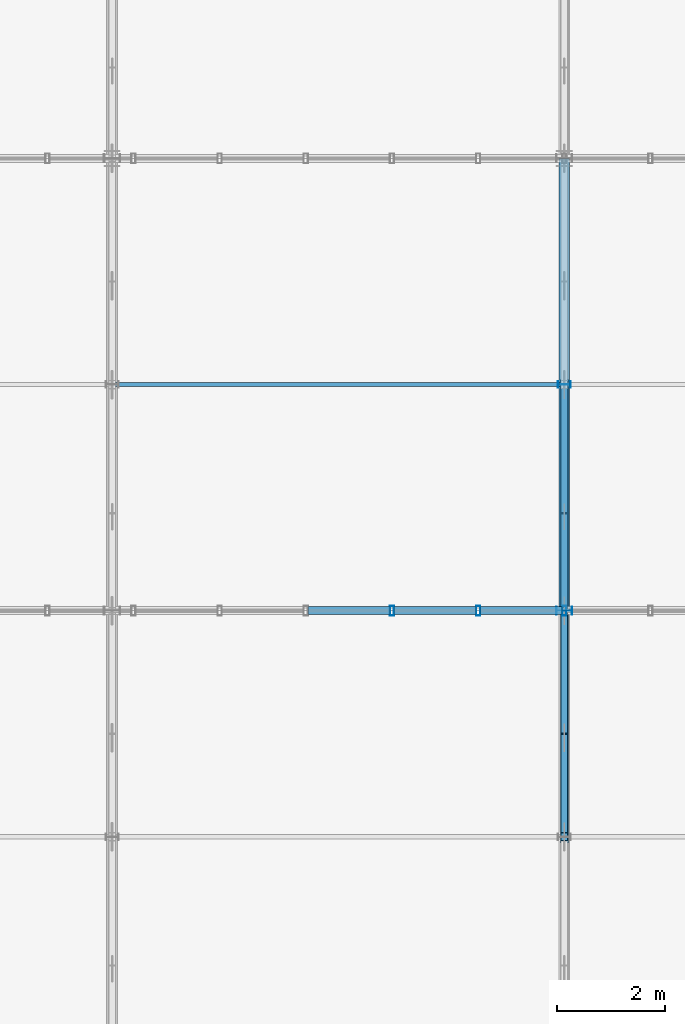
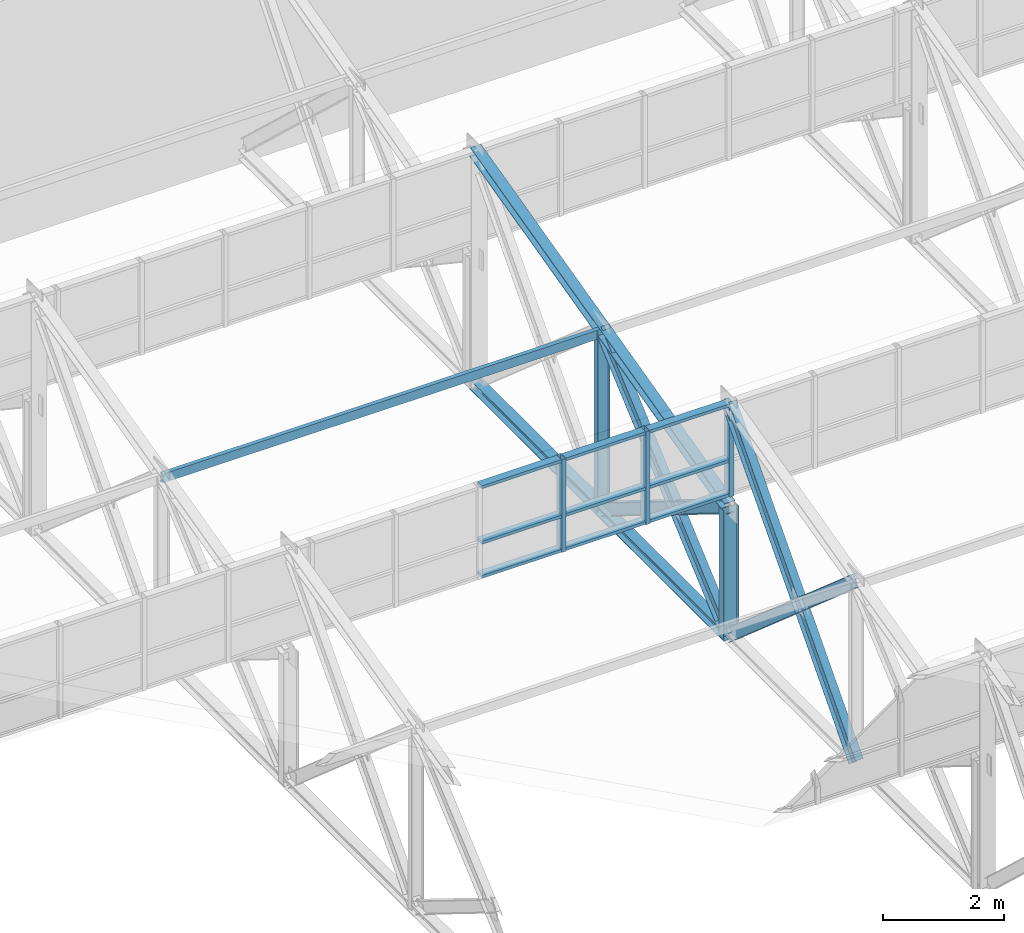
# One storey, part 73 of 123: 23 members, 1 element without a shape of its own.
"""IFC4 building model written with IfcOpenShell, lengths in metres."""

from ifc_helpers import new_model, si_unit, direction, frame, origin, origin_2d, place, context, subcontext, project, spatial, hollow_rectangle, i_section, extrude, material, layer, layer_set, material_profile, profile_set, type_object, element, aggregate, save


model = new_model("IFC4")

# Units and contexts
model_context = context("Model", 3, precision=1e-05, world=origin(), true_north=direction((0.0, 1.0)))
body_context = subcontext(model_context, "Body", "Model", "MODEL_VIEW")
ifc_project = project(units=[si_unit("LENGTHUNIT", "METRE"), si_unit("AREAUNIT", "SQUARE_METRE"), si_unit("VOLUMEUNIT", "CUBIC_METRE"), si_unit("PLANEANGLEUNIT", "RADIAN"), si_unit("MASSUNIT", "GRAM", prefix="KILO")], contexts=[model_context])

# Site, building, storey
site_placement = place(None, origin())
site = spatial("IfcSite", under=ifc_project, at=site_placement, CompositionType="ELEMENT")
building_placement = place(site_placement, origin())
building = spatial("IfcBuilding", under=site, at=building_placement, Name="Zayran Congress Hotel", CompositionType="ELEMENT")
storey_placement = place(building_placement, frame((0.0, 0.0, 15.0)))
storey = spatial("IfcBuildingStorey", under=building, at=storey_placement, Name="L03", CompositionType="ELEMENT", Elevation=15.0)

# Members
ifc_material_1 = material(Name="Steel S355", Category="steel")
ifc_material_profile_1 = material_profile(ifc_material_1, i_section(OverallWidth=0.199951171875, OverallDepth=0.199951171875, WebThickness=0.009033203125, FlangeThickness=0.014892578125, at=origin_2d()), Name="HEB 200")
ifc_profile_set_1 = profile_set([ifc_material_profile_1], Name="Steel S355")
member_type_1 = type_object("IfcMemberType", Name="TP-TR-CH2", PredefinedType="CHORD", material=ifc_profile_set_1)
member_1_placement = place(storey_placement, frame((168.0, 25.60009765625, 0.0), z_axis=(0.0, 1.0, 0.0), x_axis=(-1.0, 0.0, 0.0)))
element("IfcMember", 1, at=member_1_placement, inside=storey, type_object=member_type_1, Name="Sawtooth Truss Bottom Chord 710", PredefinedType="CHORD", context=body_context, shape_type="SweptSolid", body=[
    extrude(i_section(OverallWidth=0.199951171875, OverallDepth=0.199951171875, WebThickness=0.009033203125, FlangeThickness=0.014892578125, at=origin_2d()), origin(), (0.0, 0.0, 1.0), 8.39990234375),
])
member_2_placement = place(storey_placement, frame((168.0, 25.60009765625, 2.60009765625), z_axis=(0.0, 0.970298236919, 0.241911825737), x_axis=(-1.0, 0.0, 0.0)))
element("IfcMember", 2, at=member_2_placement, inside=storey, type_object=member_type_1, Name="Sawtooth Truss Top Chord 711", PredefinedType="CHORD", context=body_context, shape_type="SweptSolid", body=[
    extrude(i_section(OverallWidth=0.199951171875, OverallDepth=0.199951171875, WebThickness=0.009033203125, FlangeThickness=0.014892578125, at=origin_2d()), origin(), (0.0, 0.0, 1.0), 8.656982421875),
])
ifc_material_profile_2 = material_profile(ifc_material_1, i_section(OverallWidth=0.14990234375, OverallDepth=0.300048828125, WebThickness=0.007080078125, FlangeThickness=0.0107421875, at=origin_2d()), Name="IPE 300")
ifc_profile_set_2 = profile_set([ifc_material_profile_2], Name="Steel S355")
member_type_2 = type_object("IfcMemberType", Name="TP-TR-BR1", PredefinedType="BRACE", material=ifc_profile_set_2)
member_3_placement = place(storey_placement, frame((168.0, 21.39990234375, 0.0), z_axis=(0.0, 0.66679485947, 0.745241313525), x_axis=(-1.0, 0.0, 0.0)))
element("IfcMember", 3, at=member_3_placement, inside=storey, type_object=member_type_2, Name="Sawtooth Truss Diagonal Bay2 150", PredefinedType="BRACE", context=body_context, shape_type="SweptSolid", body=[
    extrude(i_section(OverallWidth=0.14990234375, OverallDepth=0.300048828125, WebThickness=0.007080078125, FlangeThickness=0.0107421875, at=origin_2d()), origin(), (0.0, 0.0, 1.0), 6.299072265625),
])
member_4_placement = place(storey_placement, frame((168.0, 25.60009765625, 0.0), z_axis=(0.0, 0.755042838954, 0.655675461904), x_axis=(-1.0, 0.0, 0.0)))
element("IfcMember", 4, at=member_4_placement, inside=storey, type_object=member_type_2, Name="Sawtooth Truss Diagonal 712", PredefinedType="BRACE", context=body_context, shape_type="SweptSolid", body=[
    extrude(i_section(OverallWidth=0.14990234375, OverallDepth=0.300048828125, WebThickness=0.007080078125, FlangeThickness=0.0107421875, at=origin_2d()), origin(), (0.0, 0.0, 1.0), 5.5625),
])
member_5_placement = place(storey_placement, frame((168.0, 25.60009765625, 0.0), z_axis=(0.0, 0.0, 1.0), x_axis=(0.0, 1.0, 0.0)))
element("IfcMember", 5, at=member_5_placement, inside=storey, type_object=member_type_2, Name="TRV-01 Sawtooth Truss Strut", PredefinedType="BRACE", context=body_context, shape_type="SweptSolid", body=[
    extrude(i_section(OverallWidth=0.14990234375, OverallDepth=0.300048828125, WebThickness=0.007080078125, FlangeThickness=0.0107421875, at=origin_2d()), origin(), (0.0, 0.0, 1.0), 2.60009765625),
])
ifc_material_profile_3 = material_profile(ifc_material_1, i_section(OverallWidth=0.1201171875, OverallDepth=0.239990234375, WebThickness=0.006103515625, FlangeThickness=0.009765625, at=origin_2d()), Name="IPE 240")
ifc_profile_set_3 = profile_set([ifc_material_profile_3], Name="Steel S355")
member_type_3 = type_object("IfcMemberType", Name="TP-TR-BR2", PredefinedType="BRACE", material=ifc_profile_set_3)
member_6_placement = place(storey_placement, frame((168.0, 21.39990234375, 3.647216796875), z_axis=(0.0, 0.755098908139, -0.655610889878), x_axis=(-1.0, 0.0, 0.0)))
element("IfcMember", 6, at=member_6_placement, inside=storey, type_object=member_type_3, Name="Sawtooth Truss Counter Diagonal Bay2 Upper 151", PredefinedType="BRACE", context=body_context, shape_type="SweptSolid", body=[
    extrude(i_section(OverallWidth=0.1201171875, OverallDepth=0.239990234375, WebThickness=0.006103515625, FlangeThickness=0.009765625, at=origin_2d()), origin(), (0.0, 0.0, 1.0), 2.417236328125),
])
member_7_placement = place(storey_placement, frame((168.0, 23.247802734375, 2.042724609375), z_axis=(0.0, 0.755042306738, -0.655676074777), x_axis=(-1.0, 0.0, 0.0)))
element("IfcMember", 7, at=member_7_placement, inside=storey, type_object=member_type_3, Name="Sawtooth Truss Counter Diagonal Bay2 Lower 152", PredefinedType="BRACE", context=body_context, shape_type="SweptSolid", body=[
    extrude(i_section(OverallWidth=0.1201171875, OverallDepth=0.239990234375, WebThickness=0.006103515625, FlangeThickness=0.009765625, at=origin_2d()), origin(), (0.0, 0.0, 1.0), 3.115478515625),
])
member_8_placement = place(storey_placement, frame((168.0, 25.60009765625, 2.60009765625), z_axis=(0.0, 0.850242199596, -0.526391681191), x_axis=(-1.0, 0.0, 0.0)))
element("IfcMember", 8, at=member_8_placement, inside=storey, type_object=member_type_3, Name="Sawtooth Truss Counter Diagonal Upper 713", PredefinedType="BRACE", context=body_context, shape_type="SweptSolid", body=[
    extrude(i_section(OverallWidth=0.1201171875, OverallDepth=0.239990234375, WebThickness=0.006103515625, FlangeThickness=0.009765625, at=origin_2d()), origin(), (0.0, 0.0, 1.0), 2.040771484375),
])
member_9_placement = place(storey_placement, frame((168.0, 27.360595703125, 1.510009765625), z_axis=(0.0, 0.850285094949, -0.526322389137), x_axis=(-1.0, 0.0, 0.0)))
element("IfcMember", 9, at=member_9_placement, inside=storey, type_object=member_type_3, Name="Sawtooth Truss Counter Diagonal Lower 153", PredefinedType="BRACE", context=body_context, shape_type="SweptSolid", body=[
    extrude(i_section(OverallWidth=0.1201171875, OverallDepth=0.239990234375, WebThickness=0.006103515625, FlangeThickness=0.009765625, at=origin_2d()), origin(), (0.0, 0.0, 1.0), 2.868896484375),
])
member_10_placement = place(storey_placement, frame((168.0, 29.800048828125, 0.0), z_axis=(0.0, 0.0, 1.0), x_axis=(0.0, 1.0, 0.0)))
element("IfcMember", 10, at=member_10_placement, inside=storey, type_object=member_type_3, Name="TRV-01 Sawtooth Truss Strut", PredefinedType="BRACE", context=body_context, shape_type="SweptSolid", body=[
    extrude(i_section(OverallWidth=0.1201171875, OverallDepth=0.239990234375, WebThickness=0.006103515625, FlangeThickness=0.009765625, at=origin_2d()), origin(), (0.0, 0.0, 1.0), 3.647216796875),
])
ifc_material_profile_4 = material_profile(ifc_material_1, hollow_rectangle(XDim=0.080078125, YDim=0.179931640625, WallThickness=0.0048828125, at=origin_2d()), Name="RHS 180x80x5")
ifc_profile_set_4 = profile_set([ifc_material_profile_4], Name="Steel S355")
member_type_4 = type_object("IfcMemberType", Name="TP-PR-02", PredefinedType="PURLIN", material=ifc_profile_set_4)
member_11_placement = place(storey_placement, frame((159.60009765625, 29.800048828125, 3.572265625), z_axis=(1.0, 0.0, 0.0), x_axis=(0.0, 1.0, 0.0)))
element("IfcMember", 11, at=member_11_placement, inside=storey, type_object=member_type_4, Name="MEM-PR-V3-0210", PredefinedType="PURLIN", context=body_context, shape_type="SweptSolid", body=[
    extrude(hollow_rectangle(XDim=0.080078125, YDim=0.179931640625, WallThickness=0.0048828125, at=origin_2d()), origin(), (0.0, 0.0, 1.0), 8.39990234375),
])

# Curtain wall, members
ifc_material_2 = material(Name="Anodised aluminium and low-E insulated glass", Category="aluminium")
ifc_layer = layer(ifc_material_2, 0.179931640625)
ifc_layer_set = layer_set([ifc_layer], Name="Anodised aluminium and low-E insulated glass")
curtain_wall_type = type_object("IfcCurtainWallType", Name="CW-V3SAW-L03-CW-V31-32000-1870", PredefinedType="USERDEFINED", material=ifc_layer_set)
curtain_wall_placement = place(storey_placement, origin())
curtain_wall = element("IfcCurtainWall", 12, at=curtain_wall_placement, inside=storey, type_object=curtain_wall_type, Name="CW-V3SAW-2", ObjectType="CURTAIN WALL", PredefinedType="USERDEFINED")
ifc_material_3 = material(Name="Anodised aluminium framing", Category="aluminium")
ifc_material_profile_5 = material_profile(ifc_material_3, hollow_rectangle(XDim=0.080078125, YDim=0.179931640625, WallThickness=0.0048828125, at=origin_2d()), Name="RHS 180x80x5")
ifc_profile_set_5 = profile_set([ifc_material_profile_5], Name="Anodised aluminium framing")
member_type_5 = type_object("IfcMemberType", Name="TP-CWM-01", PredefinedType="MULLION", material=ifc_profile_set_5)
member_12_placement = place(storey_placement, frame((168.0, 25.60009765625, 2.85009765625), z_axis=(0.0, 0.0, 1.0), x_axis=(1.0, 0.0, 0.0)))
member_12 = element("IfcMember", 13, at=member_12_placement, type_object=member_type_5, Name="CW-V3SAW-2-M10", PredefinedType="MULLION", context=body_context, shape_type="SweptSolid", body=[
    extrude(hollow_rectangle(XDim=0.080078125, YDim=0.179931640625, WallThickness=0.0048828125, at=origin_2d()), origin(), (0.0, 0.0, 1.0), 1.869873046875),
])
member_13_placement = place(storey_placement, frame((166.39990234375, 25.60009765625, 2.85009765625), z_axis=(0.0, 0.0, 1.0), x_axis=(1.0, 0.0, 0.0)))
member_13 = element("IfcMember", 14, at=member_13_placement, type_object=member_type_5, Name="CW-V3SAW-2-M11", PredefinedType="MULLION", context=body_context, shape_type="SweptSolid", body=[
    extrude(hollow_rectangle(XDim=0.080078125, YDim=0.179931640625, WallThickness=0.0048828125, at=origin_2d()), origin(), (0.0, 0.0, 1.0), 1.869873046875),
])
member_14_placement = place(storey_placement, frame((164.800048828125, 25.60009765625, 2.85009765625), z_axis=(0.0, 0.0, 1.0), x_axis=(1.0, 0.0, 0.0)))
member_14 = element("IfcMember", 15, at=member_14_placement, type_object=member_type_5, Name="CW-V3SAW-2-M12", PredefinedType="MULLION", context=body_context, shape_type="SweptSolid", body=[
    extrude(hollow_rectangle(XDim=0.080078125, YDim=0.179931640625, WallThickness=0.0048828125, at=origin_2d()), origin(), (0.0, 0.0, 1.0), 1.869873046875),
])
ifc_material_profile_6 = material_profile(ifc_material_3, hollow_rectangle(XDim=0.06005859375, YDim=0.14990234375, WallThickness=0.00390625, at=origin_2d()), Name="RHS 150x60x4")
ifc_profile_set_6 = profile_set([ifc_material_profile_6], Name="Anodised aluminium framing")
member_type_6 = type_object("IfcMemberType", Name="TP-CWT-01", PredefinedType="USERDEFINED", material=ifc_profile_set_6)
member_15_placement = place(storey_placement, frame((167.9599609375, 25.60009765625, 2.8798828125), z_axis=(-1.0, 0.0, 0.0), x_axis=(0.0, 0.0, 1.0)))
member_15 = element("IfcMember", 16, at=member_15_placement, type_object=member_type_6, Name="CW-V3SAW-2-T10-0", ObjectType="TRANSOM", PredefinedType="USERDEFINED", context=body_context, shape_type="SweptSolid", body=[
    extrude(hollow_rectangle(XDim=0.06005859375, YDim=0.14990234375, WallThickness=0.00390625, at=origin_2d()), origin(), (0.0, 0.0, 1.0), 1.52001953125),
])
member_16_placement = place(storey_placement, frame((167.9599609375, 25.60009765625, 3.570068359375), z_axis=(-1.0, 0.0, 0.0), x_axis=(0.0, 0.0, 1.0)))
member_16 = element("IfcMember", 17, at=member_16_placement, type_object=member_type_6, Name="CW-V3SAW-2-T10-1", ObjectType="TRANSOM", PredefinedType="USERDEFINED", context=body_context, shape_type="SweptSolid", body=[
    extrude(hollow_rectangle(XDim=0.06005859375, YDim=0.14990234375, WallThickness=0.00390625, at=origin_2d()), origin(), (0.0, 0.0, 1.0), 1.52001953125),
])
member_17_placement = place(storey_placement, frame((167.9599609375, 25.60009765625, 4.68994140625), z_axis=(-1.0, 0.0, 0.0), x_axis=(0.0, 0.0, 1.0)))
member_17 = element("IfcMember", 18, at=member_17_placement, type_object=member_type_6, Name="CW-V3SAW-2-T10-2", ObjectType="TRANSOM", PredefinedType="USERDEFINED", context=body_context, shape_type="SweptSolid", body=[
    extrude(hollow_rectangle(XDim=0.06005859375, YDim=0.14990234375, WallThickness=0.00390625, at=origin_2d()), origin(), (0.0, 0.0, 1.0), 1.52001953125),
])
member_18_placement = place(storey_placement, frame((166.360107421875, 25.60009765625, 2.8798828125), z_axis=(-1.0, 0.0, 0.0), x_axis=(0.0, 0.0, 1.0)))
member_18 = element("IfcMember", 19, at=member_18_placement, type_object=member_type_6, Name="CW-V3SAW-2-T11-0", ObjectType="TRANSOM", PredefinedType="USERDEFINED", context=body_context, shape_type="SweptSolid", body=[
    extrude(hollow_rectangle(XDim=0.06005859375, YDim=0.14990234375, WallThickness=0.00390625, at=origin_2d()), origin(), (0.0, 0.0, 1.0), 1.52001953125),
])
member_19_placement = place(storey_placement, frame((166.360107421875, 25.60009765625, 3.570068359375), z_axis=(-1.0, 0.0, 0.0), x_axis=(0.0, 0.0, 1.0)))
member_19 = element("IfcMember", 20, at=member_19_placement, type_object=member_type_6, Name="CW-V3SAW-2-T11-1", ObjectType="TRANSOM", PredefinedType="USERDEFINED", context=body_context, shape_type="SweptSolid", body=[
    extrude(hollow_rectangle(XDim=0.06005859375, YDim=0.14990234375, WallThickness=0.00390625, at=origin_2d()), origin(), (0.0, 0.0, 1.0), 1.52001953125),
])
member_20_placement = place(storey_placement, frame((166.360107421875, 25.60009765625, 4.68994140625), z_axis=(-1.0, 0.0, 0.0), x_axis=(0.0, 0.0, 1.0)))
member_20 = element("IfcMember", 21, at=member_20_placement, type_object=member_type_6, Name="CW-V3SAW-2-T11-2", ObjectType="TRANSOM", PredefinedType="USERDEFINED", context=body_context, shape_type="SweptSolid", body=[
    extrude(hollow_rectangle(XDim=0.06005859375, YDim=0.14990234375, WallThickness=0.00390625, at=origin_2d()), origin(), (0.0, 0.0, 1.0), 1.52001953125),
])
member_21_placement = place(storey_placement, frame((164.760009765625, 25.60009765625, 2.8798828125), z_axis=(-1.0, 0.0, 0.0), x_axis=(0.0, 0.0, 1.0)))
member_21 = element("IfcMember", 22, at=member_21_placement, type_object=member_type_6, Name="CW-V3SAW-2-T12-0", ObjectType="TRANSOM", PredefinedType="USERDEFINED", context=body_context, shape_type="SweptSolid", body=[
    extrude(hollow_rectangle(XDim=0.06005859375, YDim=0.14990234375, WallThickness=0.00390625, at=origin_2d()), origin(), (0.0, 0.0, 1.0), 1.52001953125),
])
member_22_placement = place(storey_placement, frame((164.760009765625, 25.60009765625, 3.570068359375), z_axis=(-1.0, 0.0, 0.0), x_axis=(0.0, 0.0, 1.0)))
member_22 = element("IfcMember", 23, at=member_22_placement, type_object=member_type_6, Name="CW-V3SAW-2-T12-1", ObjectType="TRANSOM", PredefinedType="USERDEFINED", context=body_context, shape_type="SweptSolid", body=[
    extrude(hollow_rectangle(XDim=0.06005859375, YDim=0.14990234375, WallThickness=0.00390625, at=origin_2d()), origin(), (0.0, 0.0, 1.0), 1.52001953125),
])
member_23_placement = place(storey_placement, frame((164.760009765625, 25.60009765625, 4.68994140625), z_axis=(-1.0, 0.0, 0.0), x_axis=(0.0, 0.0, 1.0)))
member_23 = element("IfcMember", 24, at=member_23_placement, type_object=member_type_6, Name="CW-V3SAW-2-T12-2", ObjectType="TRANSOM", PredefinedType="USERDEFINED", context=body_context, shape_type="SweptSolid", body=[
    extrude(hollow_rectangle(XDim=0.06005859375, YDim=0.14990234375, WallThickness=0.00390625, at=origin_2d()), origin(), (0.0, 0.0, 1.0), 1.52001953125),
])
aggregate(curtain_wall, [member_12, member_13, member_14, member_15, member_16, member_17, member_18, member_19, member_20, member_21, member_22, member_23])

save(model, "model.ifc")
